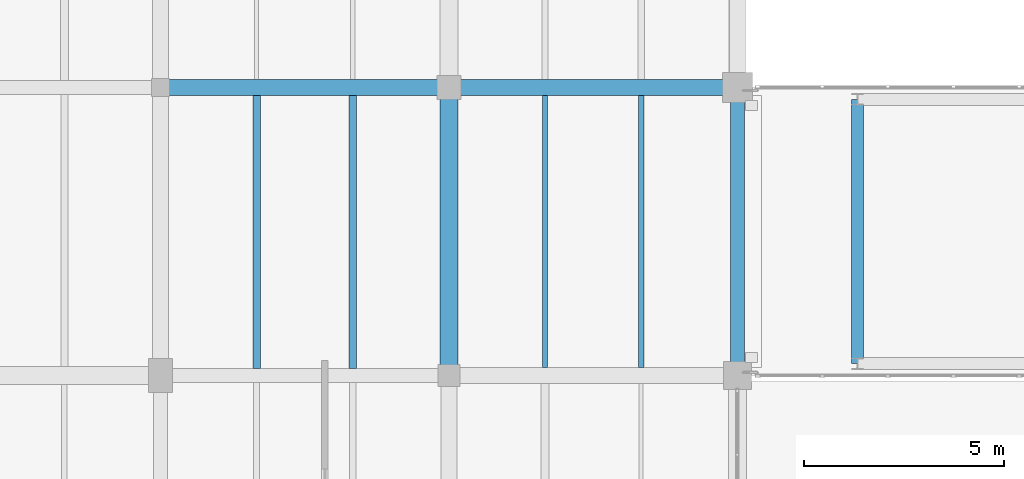
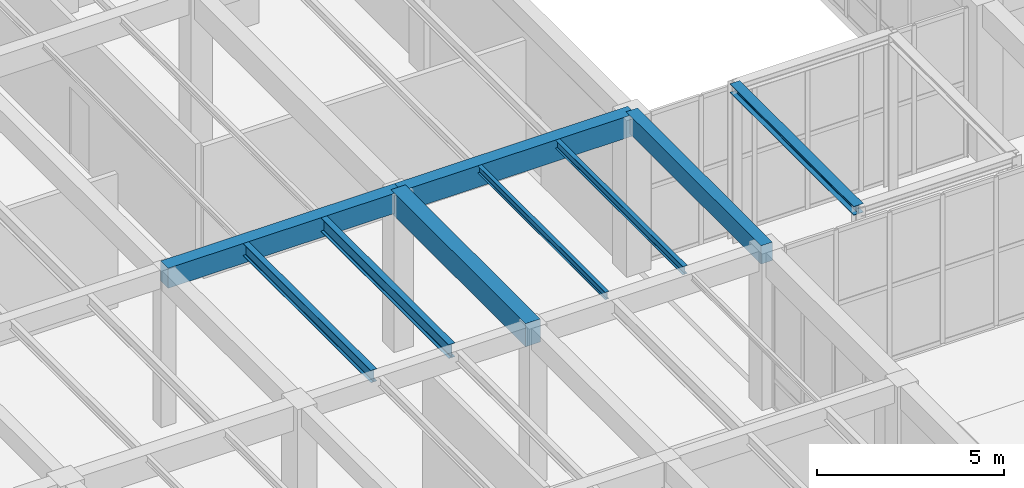
# One storey, part 63 of 169: 9 beams.
"""IFC4 building model written with IfcOpenShell, lengths in metres."""

from ifc_helpers import new_model, si_unit, direction, frame, origin, origin_2d, place, context, subcontext, project, spatial, rectangle, i_section, extrude, material, material_profile, profile_set, type_object, element, save


model = new_model("IFC4")

# Units and contexts
model_context = context("Model", 3, precision=1e-05, world=origin(), true_north=direction((0.0, 1.0)))
body_context = subcontext(model_context, "Body", "Model", "MODEL_VIEW")
ifc_project = project(units=[si_unit("LENGTHUNIT", "METRE"), si_unit("AREAUNIT", "SQUARE_METRE"), si_unit("VOLUMEUNIT", "CUBIC_METRE"), si_unit("PLANEANGLEUNIT", "RADIAN"), si_unit("MASSUNIT", "GRAM", prefix="KILO")], contexts=[model_context])

# Site, building, storey
site_placement = place(None, origin())
site = spatial("IfcSite", under=ifc_project, at=site_placement, CompositionType="ELEMENT")
building_placement = place(site_placement, origin())
building = spatial("IfcBuilding", under=site, at=building_placement, Name="Mazaris Harbour Polytechnic", CompositionType="ELEMENT")
storey_placement = place(building_placement, origin())
storey = spatial("IfcBuildingStorey", under=building, at=storey_placement, Name="L00", CompositionType="ELEMENT", Elevation=0.0)

# Beams
ifc_material_1 = material(Name="Concrete C35/45", Category="concrete")
ifc_material_profile_1 = material_profile(ifc_material_1, rectangle(XDim=0.35009765625, YDim=0.60009765625, at=origin_2d()), Name="RECT350x600")
ifc_profile_set_1 = profile_set([ifc_material_profile_1], Name="Concrete C35/45")
beam_type_1 = type_object("IfcBeamType", Name="RC Girder 350x600 Exterior", PredefinedType="BEAM", material=ifc_profile_set_1)
beam_1_placement = place(storey_placement, frame((43.199951171875, 75.60009765625, 4.800048828125), z_axis=(0.0, 1.0, 0.0), x_axis=(-1.0, 0.0, 0.0)))
element("IfcBeam", 1, at=beam_1_placement, inside=storey, type_object=beam_type_1, Name="V4 L00 Tie Girder 1500", PredefinedType="BEAM", context=body_context, shape_type="SweptSolid", body=[
    extrude(rectangle(XDim=0.35009765625, YDim=0.60009765625, at=origin_2d()), origin(), (0.0, 0.0, 1.0), 7.199951171875),
])
ifc_material_2 = material(Name="Concrete C35/45", Category="concrete")
ifc_material_profile_2 = material_profile(ifc_material_2, rectangle(XDim=0.39990234375, YDim=0.64990234375, at=origin_2d()), Name="RECT400x650")
ifc_profile_set_2 = profile_set([ifc_material_profile_2], Name="Concrete C35/45")
beam_type_2 = type_object("IfcBeamType", Name="RC Girder 400x650", PredefinedType="BEAM", material=ifc_profile_set_2)
beam_2_placement = place(storey_placement, frame((28.800048828125, 82.800048828125, 4.77490234375), z_axis=(1.0, 0.0, 0.0), x_axis=(0.0, 1.0, 0.0)))
element("IfcBeam", 2, at=beam_2_placement, inside=storey, type_object=beam_type_2, Name="V4 L00 Girder 1411", PredefinedType="BEAM", context=body_context, shape_type="SweptSolid", body=[
    extrude(rectangle(XDim=0.39990234375, YDim=0.64990234375, at=origin_2d()), origin(), (0.0, 0.0, 1.0), 7.199951171875),
])
ifc_material_3 = material(Name="Concrete C35/45", Category="concrete")
ifc_material_profile_3 = material_profile(ifc_material_3, rectangle(XDim=0.39990234375, YDim=0.699951171875, at=origin_2d()), Name="RECT400x700")
ifc_profile_set_3 = profile_set([ifc_material_profile_3], Name="Concrete C35/45")
beam_type_3 = type_object("IfcBeamType", Name="RC Girder 400x700", PredefinedType="BEAM", material=ifc_profile_set_3)
beam_3_placement = place(storey_placement, frame((36.0, 82.800048828125, 4.75), z_axis=(1.0, 0.0, 0.0), x_axis=(0.0, 1.0, 0.0)))
element("IfcBeam", 3, at=beam_3_placement, inside=storey, type_object=beam_type_3, Name="V4 L00 Girder 1412", PredefinedType="BEAM", context=body_context, shape_type="SweptSolid", body=[
    extrude(rectangle(XDim=0.39990234375, YDim=0.699951171875, at=origin_2d()), origin(), (0.0, 0.0, 1.0), 7.199951171875),
])
ifc_material_4 = material(Name="Concrete C40/50", Category="concrete")
ifc_material_profile_4 = material_profile(ifc_material_4, rectangle(XDim=0.449951171875, YDim=0.75, at=origin_2d()), Name="RECT450x750")
ifc_profile_set_4 = profile_set([ifc_material_profile_4], Name="Concrete C40/50")
beam_type_4 = type_object("IfcBeamType", Name="RC Girder 450x750", PredefinedType="BEAM", material=ifc_profile_set_4)
beam_4_placement = place(storey_placement, frame((36.0, 75.60009765625, 4.72509765625), z_axis=(0.0, 1.0, 0.0), x_axis=(-1.0, 0.0, 0.0)))
element("IfcBeam", 4, at=beam_4_placement, inside=storey, type_object=beam_type_4, Name="V4 L00 Tie Girder 1488", PredefinedType="BEAM", context=body_context, shape_type="SweptSolid", body=[
    extrude(rectangle(XDim=0.449951171875, YDim=0.75, at=origin_2d()), origin(), (0.0, 0.0, 1.0), 7.199951171875),
])
ifc_material_5 = material(Name="Steel S355", Category="steel")
ifc_material_profile_5 = material_profile(ifc_material_5, i_section(OverallWidth=0.300048828125, OverallDepth=0.2900390625, WebThickness=0.008544921875, FlangeThickness=0.013916015625, FilletRadius=0.027099609375, at=origin_2d()), Name="HEA 300")
ifc_profile_set_5 = profile_set([ifc_material_profile_5], Name="Steel S355")
beam_type_5 = type_object("IfcBeamType", Name="Steel Beam HEA300 Exterior", PredefinedType="SPANDREL", material=ifc_profile_set_5)
beam_5_placement = place(storey_placement, frame((46.199951171875, 75.89990234375, 4.989990234375), z_axis=(0.0, 1.0, 0.0), x_axis=(-1.0, 0.0, 0.0)))
element("IfcBeam", 5, at=beam_5_placement, inside=storey, type_object=beam_type_5, Name="PB-W2 L00 Bridge Beam 3424", PredefinedType="SPANDREL", context=body_context, shape_type="SweptSolid", body=[
    extrude(i_section(OverallWidth=0.300048828125, OverallDepth=0.2900390625, WebThickness=0.008544921875, FlangeThickness=0.013916015625, FilletRadius=0.027099609375, at=origin_2d()), origin(), (0.0, 0.0, 1.0), 6.60009765625),
])
ifc_material_6 = material(Name="Steel S355", Category="steel")
ifc_material_profile_6 = material_profile(ifc_material_6, i_section(OverallWidth=0.1201171875, OverallDepth=0.239990234375, WebThickness=0.006103515625, FlangeThickness=0.009765625, FilletRadius=0.014892578125, at=origin_2d()), Name="IPE 240")
ifc_profile_set_6 = profile_set([ifc_material_profile_6], Name="Steel S355")
beam_type_6 = type_object("IfcBeamType", Name="Steel Joist IPE240", PredefinedType="JOIST", material=ifc_profile_set_6)
beam_6_placement = place(storey_placement, frame((38.39990234375, 75.800048828125, 4.97998046875), z_axis=(0.0, 1.0, 0.0), x_axis=(-1.0, 0.0, 0.0)))
element("IfcBeam", 6, at=beam_6_placement, inside=storey, type_object=beam_type_6, Name="V4 L00 Floor Joist 1618", PredefinedType="JOIST", context=body_context, shape_type="SweptSolid", body=[
    extrude(i_section(OverallWidth=0.1201171875, OverallDepth=0.239990234375, WebThickness=0.006103515625, FlangeThickness=0.009765625, FilletRadius=0.014892578125, at=origin_2d()), origin(), (0.0, 0.0, 1.0), 6.800048828125),
])
ifc_material_7 = material(Name="Steel S355", Category="steel")
ifc_material_profile_7 = material_profile(ifc_material_7, i_section(OverallWidth=0.135009765625, OverallDepth=0.27001953125, WebThickness=0.006591796875, FlangeThickness=0.01025390625, FilletRadius=0.014892578125, at=origin_2d()), Name="IPE 270")
ifc_profile_set_7 = profile_set([ifc_material_profile_7], Name="Steel S355")
beam_type_7 = type_object("IfcBeamType", Name="Steel Joist IPE270", PredefinedType="JOIST", material=ifc_profile_set_7)
beam_7_placement = place(storey_placement, frame((40.800048828125, 75.800048828125, 4.965087890625), z_axis=(0.0, 1.0, 0.0), x_axis=(-1.0, 0.0, 0.0)))
element("IfcBeam", 7, at=beam_7_placement, inside=storey, type_object=beam_type_7, Name="V4 L00 Floor Joist 1619", PredefinedType="JOIST", context=body_context, shape_type="SweptSolid", body=[
    extrude(i_section(OverallWidth=0.135009765625, OverallDepth=0.27001953125, WebThickness=0.006591796875, FlangeThickness=0.01025390625, FilletRadius=0.014892578125, at=origin_2d()), origin(), (0.0, 0.0, 1.0), 6.800048828125),
])
ifc_material_8 = material(Name="Steel S355", Category="steel")
ifc_material_profile_8 = material_profile(ifc_material_8, i_section(OverallWidth=0.179931640625, OverallDepth=0.39990234375, WebThickness=0.008544921875, FlangeThickness=0.013427734375, FilletRadius=0.02099609375, at=origin_2d()), Name="IPE 400")
ifc_profile_set_8 = profile_set([ifc_material_profile_8], Name="Steel S355")
beam_type_8 = type_object("IfcBeamType", Name="Steel Joist IPE400", PredefinedType="JOIST", material=ifc_profile_set_8)
beam_8_placement = place(storey_placement, frame((31.199951171875, 75.77490234375, 4.89990234375), z_axis=(0.0, 1.0, 0.0), x_axis=(-1.0, 0.0, 0.0)))
element("IfcBeam", 8, at=beam_8_placement, inside=storey, type_object=beam_type_8, Name="V4 L00 Floor Joist 1594", PredefinedType="JOIST", context=body_context, shape_type="SweptSolid", body=[
    extrude(i_section(OverallWidth=0.179931640625, OverallDepth=0.39990234375, WebThickness=0.008544921875, FlangeThickness=0.013427734375, FilletRadius=0.02099609375, at=origin_2d()), origin(), (0.0, 0.0, 1.0), 6.8251953125),
])
ifc_material_9 = material(Name="Steel S355", Category="steel")
ifc_material_profile_9 = material_profile(ifc_material_9, i_section(OverallWidth=0.18994140625, OverallDepth=0.449951171875, WebThickness=0.009521484375, FlangeThickness=0.0146484375, FilletRadius=0.02099609375, at=origin_2d()), Name="IPE 450")
ifc_profile_set_9 = profile_set([ifc_material_profile_9], Name="Steel S355")
beam_type_9 = type_object("IfcBeamType", Name="Steel Joist IPE450", PredefinedType="JOIST", material=ifc_profile_set_9)
beam_9_placement = place(storey_placement, frame((33.60009765625, 75.77490234375, 4.875), z_axis=(0.0, 1.0, 0.0), x_axis=(-1.0, 0.0, 0.0)))
element("IfcBeam", 9, at=beam_9_placement, inside=storey, type_object=beam_type_9, Name="V4 L00 Floor Joist 1595", PredefinedType="JOIST", context=body_context, shape_type="SweptSolid", body=[
    extrude(i_section(OverallWidth=0.18994140625, OverallDepth=0.449951171875, WebThickness=0.009521484375, FlangeThickness=0.0146484375, FilletRadius=0.02099609375, at=origin_2d()), origin(), (0.0, 0.0, 1.0), 6.8251953125),
])

save(model, "model.ifc")
